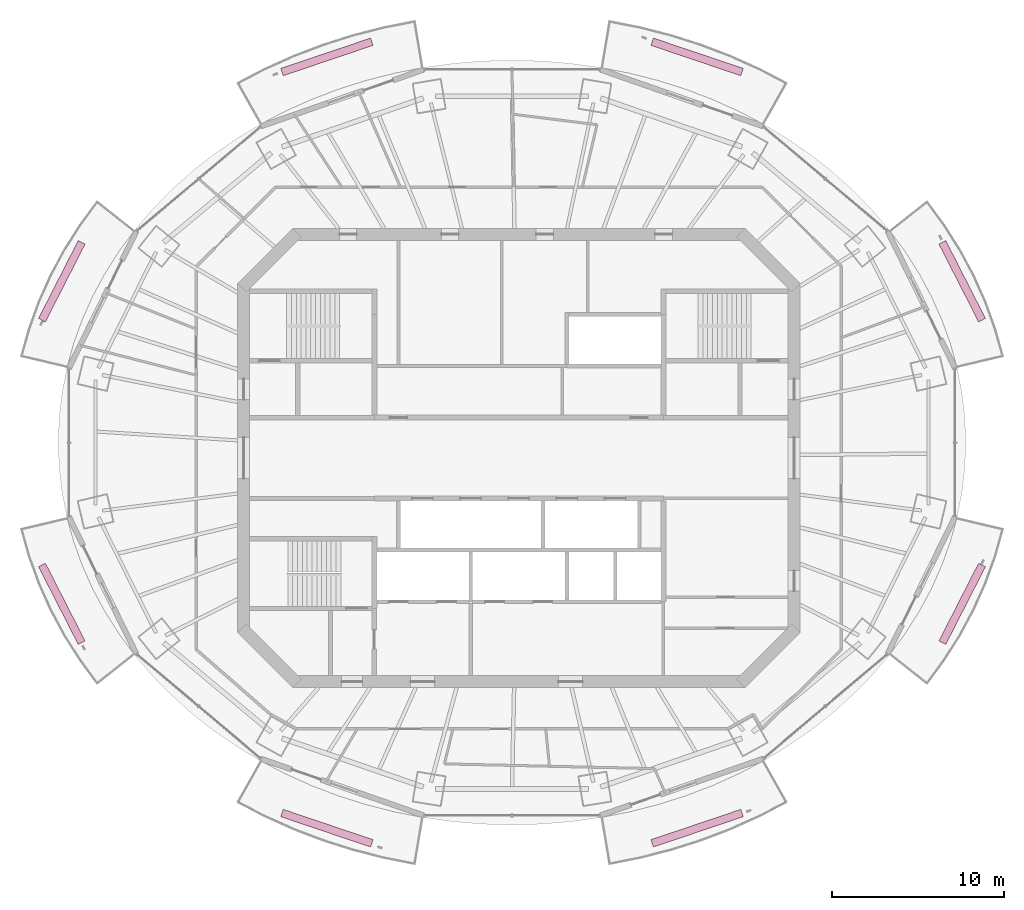
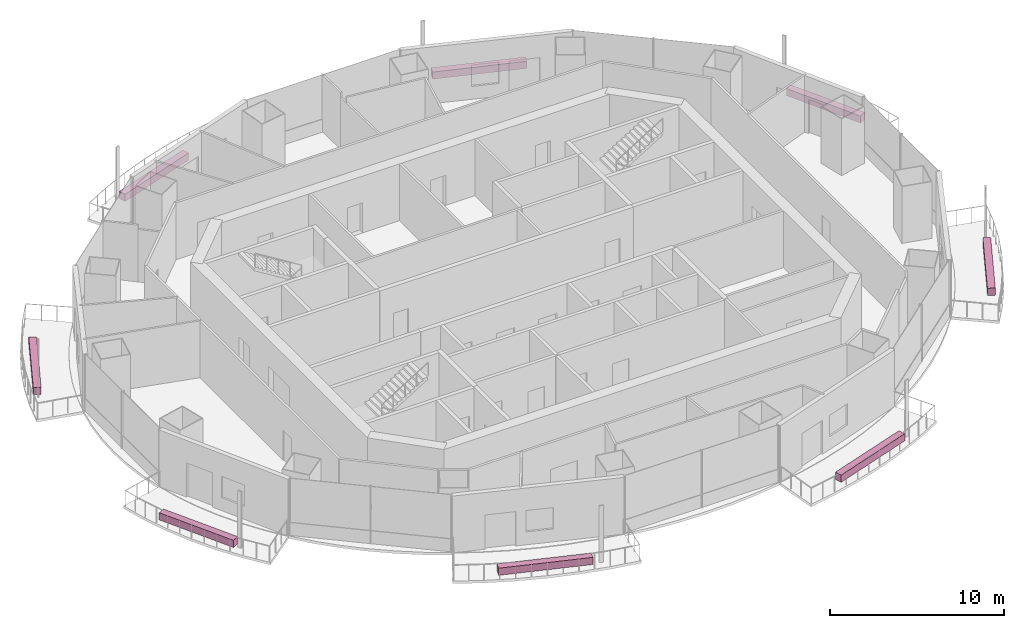
# One storey, part 16 of 16: 8 furnishings.
"""IFC4 building model written with IfcOpenShell, lengths in metres."""

import ifcopenshell
import ifcopenshell.guid

model = None  # the IFC model being written
_history = None  # IfcOwnerHistory: only IFC2X3 demands one
_inside = {}  # id of a spatial element -> (the spatial element, [elements in it])
_under = {}  # id of a project, library or spatial element -> (it, [spatial elements below it])
_declared = {}  # id of a project -> (the project, [libraries it declares])
_typed = {}  # id of a type object -> (the type object, [elements of that type])
_made_of = {}  # id of a material, layer set ... -> (it, [elements and type objects made of it])


def new_model(schema):
    """Start an empty IFC model of exactly this schema.

    Asked for "IFC4X3", IfcOpenShell would pick the latest addendum, in which some entities
    have other attributes; the version numbers below select the first issue.
    IFC2X3 requires an IfcOwnerHistory on every rooted entity: one is made here for all.
    """
    global model, _history
    if schema == "IFC4X3":
        model = ifcopenshell.file(schema_version=(4, 3, 0, 0))
    else:
        model = ifcopenshell.file(schema=schema)
    _inside.clear()
    _under.clear()
    _declared.clear()
    _typed.clear()
    _made_of.clear()
    _history = None
    if model.schema == "IFC2X3":
        org = make("IfcOrganization", Name="unknown")
        user = make(
            "IfcPersonAndOrganization",
            ThePerson=make("IfcPerson", FamilyName="unknown"),
            TheOrganization=org,
        )
        app = make(
            "IfcApplication",
            ApplicationDeveloper=org,
            Version="unknown",
            ApplicationFullName="unknown",
            ApplicationIdentifier="unknown",
        )
        _history = make(
            "IfcOwnerHistory",
            OwningUser=user,
            OwningApplication=app,
            ChangeAction="ADDED",
            CreationDate=0,
        )
    return model


def make(cls, **values):
    """One entity of the class cls with the attributes given. An attribute that is None is left unset."""
    return model.create_entity(
        cls, **{name: value for name, value in values.items() if value is not None}
    )


def rooted(cls, **values):
    """An entity with a GlobalId (a new one), such as an element, a storey or a relation."""
    return make(cls, GlobalId=ifcopenshell.guid.new(), OwnerHistory=_history, **values)


def si_unit(unit_type, name, prefix=None):
    """IfcSIUnit, for example si_unit("LENGTHUNIT", "METRE", prefix="MILLI")."""
    return make("IfcSIUnit", UnitType=unit_type, Prefix=prefix, Name=name)


def assignment(units):
    """IfcUnitAssignment: the units of a project."""
    return None if units is None else make("IfcUnitAssignment", Units=units)


def point(xyz):
    """IfcCartesianPoint."""
    return None if xyz is None else make("IfcCartesianPoint", Coordinates=xyz)


def direction(xyz):
    """IfcDirection."""
    return None if xyz is None else make("IfcDirection", DirectionRatios=xyz)


def frame(location, z_axis=None, x_axis=None):
    """IfcAxis2Placement3D, a coordinate frame: its origin and axes. An axis left out is left unset."""
    return make(
        "IfcAxis2Placement3D",
        Location=point(location),
        Axis=direction(z_axis),
        RefDirection=direction(x_axis),
    )


def frame_2d(location, x_axis=None):
    """IfcAxis2Placement2D, a coordinate frame in the plane: its origin and x axis."""
    return make(
        "IfcAxis2Placement2D", Location=point(location), RefDirection=direction(x_axis)
    )


def origin():
    """The frame at (0, 0, 0) with its axes left unset."""
    return frame((0.0, 0.0, 0.0))


def origin_2d():
    """The frame at (0, 0) in the plane with its x axis left unset."""
    return frame_2d((0.0, 0.0))


def place(relative_to, where):
    """IfcLocalPlacement: puts the frame where relative to a parent placement (None: the world)."""
    return make(
        "IfcLocalPlacement", PlacementRelTo=relative_to, RelativePlacement=where
    )


def context(
    kind, dimensions, precision=None, world=None, true_north=None, identifier=None
):
    """IfcGeometricRepresentationContext, for example the 3D "Model" context."""
    return make(
        "IfcGeometricRepresentationContext",
        ContextIdentifier=identifier,
        ContextType=kind,
        CoordinateSpaceDimension=dimensions,
        Precision=precision,
        WorldCoordinateSystem=world,
        TrueNorth=true_north,
    )


def subcontext(parent, identifier, kind, view, scale=None):
    """IfcGeometricRepresentationSubContext, for example "Body" below "Model"."""
    return make(
        "IfcGeometricRepresentationSubContext",
        ContextIdentifier=identifier,
        ContextType=kind,
        ParentContext=parent,
        TargetScale=scale,
        TargetView=view,
    )


def project(units=None, contexts=None):
    """IfcProject with its units and contexts."""
    return rooted(
        "IfcProject",
        Name="project",
        RepresentationContexts=contexts,
        UnitsInContext=assignment(units),
    )


def spatial(cls, under=None, at=None, **own):
    """A site, building, storey or space (cls), placed at a placement, below another one or the project."""
    s = rooted(cls, ObjectPlacement=at, **own)
    if under is not None:
        _under.setdefault(under.id(), (under, []))[1].append(s)
    return s


def profile(cls, at=None, kind="AREA", **sizes):
    """A parametric profile (cls). Its sizes go by their IFC names, for example OverallWidth=200.0."""
    return make(cls, ProfileType=kind, Position=at, **sizes)


def rectangle(**sizes):
    """IfcRectangleProfileDef."""
    return profile("IfcRectangleProfileDef", **sizes)


def extrude(swept, where, along, depth):
    """IfcExtrudedAreaSolid: the profile swept, set in the frame where, extruded along a direction by depth."""
    return make(
        "IfcExtrudedAreaSolid",
        SweptArea=swept,
        Position=where,
        ExtrudedDirection=direction(along),
        Depth=depth,
    )


def shape(context_of_items, identifier, shape_type, items):
    """IfcShapeRepresentation: the items that make up one representation, for example the "Body"."""
    return make(
        "IfcShapeRepresentation",
        ContextOfItems=context_of_items,
        RepresentationIdentifier=identifier,
        RepresentationType=shape_type,
        Items=items,
    )


def material(Name=None, Category=None):
    """IfcMaterial."""
    return make("IfcMaterial", Name=Name, Category=Category)


def made_of(thing, what):
    """Note that an element or type object is made of a material, layer set ...; save() writes the relation."""
    if what is not None:
        _made_of.setdefault(what.id(), (what, []))[1].append(thing)
    return thing


def type_object(cls, material=None, **own):
    """A type object (cls), such as IfcWallType, which elements share."""
    return made_of(rooted(cls, **own), material)


def element(
    cls,
    number,
    at=None,
    inside=None,
    cuts=None,
    type_object=None,
    material=None,
    context=None,
    identifier="Body",
    shape_type=None,
    held_by="IfcProductDefinitionShape",
    body=None,
    shapes=None,
    **own,
):
    """One element of the class cls, such as IfcWall. Its Tag is "e" and its number.

    at: its placement. inside: the storey or other place that contains it. cuts: it is an
    opening in that element (IfcRelVoidsElement). A single representation is given by context,
    identifier, shape_type and body (its items); several are given by shapes. held_by: the class
    of the entity that holds the representations. save() writes the other relations.
    """
    e = rooted(cls, Tag="e%d" % number, ObjectPlacement=at, **own)
    if body is not None:
        shapes = [shape(context, identifier, shape_type, body)]
    if shapes is not None:
        e.Representation = make(held_by, Representations=shapes)
    if inside is not None:
        _inside.setdefault(inside.id(), (inside, []))[1].append(e)
    if cuts is not None:
        rooted(
            "IfcRelVoidsElement", RelatingBuildingElement=cuts, RelatedOpeningElement=e
        )
    if type_object is not None:
        _typed.setdefault(type_object.id(), (type_object, []))[1].append(e)
    return made_of(e, material)


def aggregate(whole, parts):
    """IfcRelAggregates: a whole, such as a stair, and the parts it consists of."""
    return rooted("IfcRelAggregates", RelatingObject=whole, RelatedObjects=parts)


def save(model, path):
    """Write the relations noted so far, then the file.

    IfcRelAggregates (storeys below a building ...), IfcRelContainedInSpatialStructure (elements
    in a storey), IfcRelDefinesByType, IfcRelAssociatesMaterial and IfcRelDeclares: one each for
    every whole, place, type object, material and project.
    """
    for whole, parts in _under.values():
        aggregate(whole, parts)
    for where, things in _inside.values():
        rooted(
            "IfcRelContainedInSpatialStructure",
            RelatedElements=things,
            RelatingStructure=where,
        )
    for kind, things in _typed.values():
        rooted("IfcRelDefinesByType", RelatedObjects=things, RelatingType=kind)
    for what, things in _made_of.values():
        rooted("IfcRelAssociatesMaterial", RelatedObjects=things, RelatingMaterial=what)
    for by, libraries in _declared.values():
        rooted("IfcRelDeclares", RelatingContext=by, RelatedDefinitions=libraries)
    model.write(path)


model = new_model("IFC4")

# Units and contexts
model_context = context("Model", 3, precision=1e-05, world=origin(), true_north=direction((0.0, 1.0)))
body_context = subcontext(model_context, "Body", "Model", "MODEL_VIEW")
ifc_project = project(units=[si_unit("LENGTHUNIT", "METRE"), si_unit("AREAUNIT", "SQUARE_METRE"), si_unit("VOLUMEUNIT", "CUBIC_METRE"), si_unit("PLANEANGLEUNIT", "RADIAN"), si_unit("MASSUNIT", "GRAM", prefix="KILO")], contexts=[model_context])

# Site, building, storey
site_placement = place(None, origin())
site = spatial("IfcSite", under=ifc_project, at=site_placement, CompositionType="ELEMENT")
building_placement = place(site_placement, origin())
building = spatial("IfcBuilding", under=site, at=building_placement, Name="Marenthal Gate Tower", CompositionType="ELEMENT")
storey_placement = place(building_placement, frame((0.0, 0.0, 367.5)))
storey = spatial("IfcBuildingStorey", under=building, at=storey_placement, Name="L83", CompositionType="ELEMENT", Elevation=367.5)

# Furnishings
ifc_material = material(Name="Planting soil and foliage", Category="planting")
furnishing_element_type = type_object("IfcFurnishingElementType", Name="Balcony PLANTER trough", material=ifc_material)
furnishing_1_placement = place(storey_placement, frame((25.7724609375, 10.27685546875, -0.0400390625), z_axis=(0.0, 0.0, 1.0), x_axis=(-0.454595744024, 0.890697877799, 0.0)))
element("IfcFurnishingElement", 1, at=furnishing_1_placement, inside=storey, type_object=furnishing_element_type, Name="Balcony PLANTER L83 bay 1", ObjectType="PLANTER", context=body_context, shape_type="SweptSolid", body=[
    extrude(rectangle(XDim=5.07421875, YDim=0.449951171875, at=origin_2d()), origin(), (0.0, 0.0, 1.0), 0.5),
])
for number, where, z_axis, x_axis, name in (
    (2, (10.3623046875, 23.319580078125, -0.0400390625), (0.0, 0.0, 1.0), (-0.947505237086, 0.319740247224, 0.0), "Balcony PLANTER L83 bay 3"),
    (3, (-11.162353515625, 23.319580078125, -0.0400390625), (0.0, 0.0, 1.0), (-0.947505237086, -0.319740247224, 0.0), "Balcony PLANTER L83 bay 5"),
):
    element("IfcFurnishingElement", number, at=place(storey_placement, frame(where, z_axis=z_axis, x_axis=x_axis)), inside=storey, type_object=furnishing_element_type, Name=name, ObjectType="PLANTER", context=body_context, shape_type="SweptSolid", body=[
        extrude(rectangle(XDim=5.519775390625, YDim=0.449951171875, at=origin_2d()), origin(), (0.0, 0.0, 1.0), 0.5),
    ])
for number, where, z_axis, x_axis, name in (
    (4, (-26.572265625, 10.27685546875, -0.0400390625), (0.0, 0.0, 1.0), (-0.454595744024, -0.890697877799, 0.0), "Balcony PLANTER L83 bay 7"),
    (5, (-26.572265625, -8.476806640625, -0.0400390625), (0.0, 0.0, 1.0), (0.454595744024, -0.890697877799, 0.0), "Balcony PLANTER L83 bay 9"),
):
    element("IfcFurnishingElement", number, at=place(storey_placement, frame(where, z_axis=z_axis, x_axis=x_axis)), inside=storey, type_object=furnishing_element_type, Name=name, ObjectType="PLANTER", context=body_context, shape_type="SweptSolid", body=[
        extrude(rectangle(XDim=5.07421875, YDim=0.449951171875, at=origin_2d()), origin(), (0.0, 0.0, 1.0), 0.5),
    ])
for number, where, z_axis, x_axis, name in (
    (6, (-11.162353515625, -21.519775390625, -0.0400390625), (0.0, 0.0, 1.0), (0.947505237086, -0.319740247224, 0.0), "Balcony PLANTER L83 bay 11"),
    (7, (10.3623046875, -21.519775390625, -0.0400390625), (0.0, 0.0, 1.0), (0.947505237086, 0.319740247224, 0.0), "Balcony PLANTER L83 bay 13"),
):
    element("IfcFurnishingElement", number, at=place(storey_placement, frame(where, z_axis=z_axis, x_axis=x_axis)), inside=storey, type_object=furnishing_element_type, Name=name, ObjectType="PLANTER", context=body_context, shape_type="SweptSolid", body=[
        extrude(rectangle(XDim=5.519775390625, YDim=0.449951171875, at=origin_2d()), origin(), (0.0, 0.0, 1.0), 0.5),
    ])
furnishing_2_placement = place(storey_placement, frame((25.7724609375, -8.476806640625, -0.0400390625), z_axis=(0.0, 0.0, 1.0), x_axis=(0.454595744024, 0.890697877799, 0.0)))
element("IfcFurnishingElement", 8, at=furnishing_2_placement, inside=storey, type_object=furnishing_element_type, Name="Balcony PLANTER L83 bay 15", ObjectType="PLANTER", context=body_context, shape_type="SweptSolid", body=[
    extrude(rectangle(XDim=5.07421875, YDim=0.449951171875, at=origin_2d()), origin(), (0.0, 0.0, 1.0), 0.5),
])

save(model, "model.ifc")
